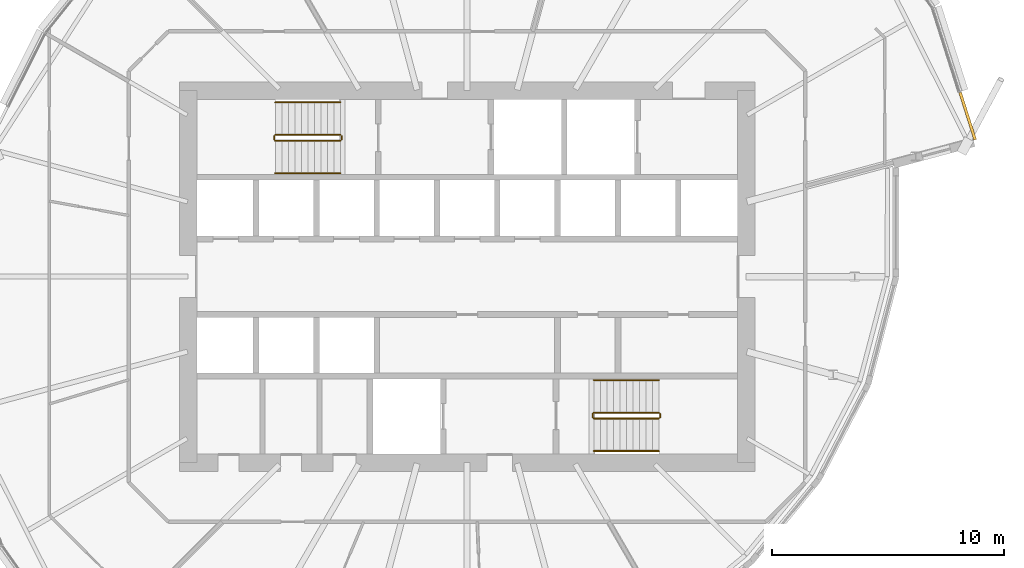
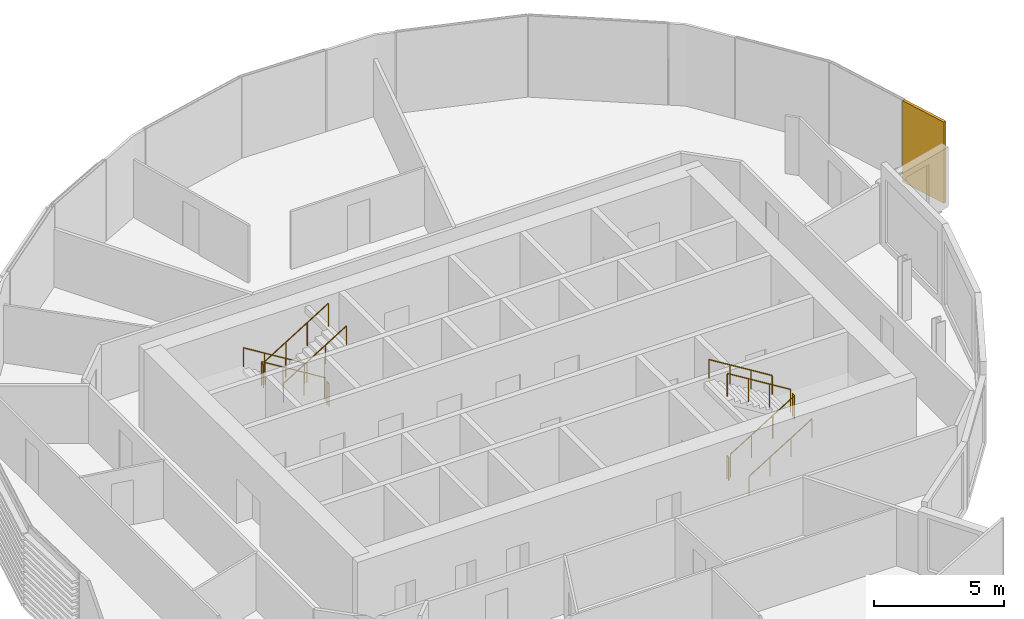
# One storey, part 38 of 39: 12 railings, 1 covering.
"""IFC4 building model written with IfcOpenShell, lengths in metres."""

from ifc_helpers import new_model, si_unit, direction, frame, origin, origin_2d, place, context, subcontext, project, spatial, polyline, circle, outline, extrude, material, layer, layer_set, type_object, element, save


model = new_model("IFC4")

# Units and contexts
model_context = context("Model", 3, precision=1e-05, world=origin(), true_north=direction((0.0, 1.0)))
body_context = subcontext(model_context, "Body", "Model", "MODEL_VIEW")
ifc_project = project(units=[si_unit("LENGTHUNIT", "METRE"), si_unit("AREAUNIT", "SQUARE_METRE"), si_unit("VOLUMEUNIT", "CUBIC_METRE"), si_unit("PLANEANGLEUNIT", "RADIAN"), si_unit("MASSUNIT", "GRAM", prefix="KILO")], contexts=[model_context])

# Site, building, storey
site_placement = place(None, origin())
site = spatial("IfcSite", under=ifc_project, at=site_placement, CompositionType="ELEMENT")
building_placement = place(site_placement, origin())
building = spatial("IfcBuilding", under=site, at=building_placement, Name="Rimbun Link Towers", CompositionType="ELEMENT")
storey_placement = place(building_placement, frame((0.0, 0.0, 112.0)))
storey = spatial("IfcBuildingStorey", under=building, at=storey_placement, Name="L27", CompositionType="ELEMENT", Elevation=112.0)

# Covering
ifc_material_1 = material(Name="Terracotta", Category="masonry")
ifc_layer = layer(ifc_material_1, 0.1201171875)
ifc_layer_set = layer_set([ifc_layer], Name="LINK PIER terracotta cladding 120")
covering_type = type_object("IfcCoveringType", Name="LINK PIER terracotta cladding 120", PredefinedType="CLADDING", material=ifc_layer_set)
covering_placement = place(storey_placement, origin())
element("IfcCovering", 1, at=covering_placement, inside=storey, type_object=covering_type, Name="LINK PIER cladding", PredefinedType="CLADDING", context=body_context, shape_type="SweptSolid", body=[
    extrude(outline(polyline([(52.89892578125, 7.910888671875), (53.54736328125, 5.87158203125), (53.661865234375, 5.907958984375), (53.01318359375, 7.947265625), (52.89892578125, 7.910888671875)])), origin(), (0.0, 0.0, 1.0), 3.800048828125),
])

# Railings
ifc_material_2 = material(Name="Stainless steel grade 316", Category="steel")
railing_type_1 = type_object("IfcRailingType", Name="Stair guard", PredefinedType="GUARDRAIL", material=ifc_material_2)
railing_1_placement = place(storey_placement, frame((26.300048828125, 6.10009765625, 0.172607421875)))
element("IfcRailing", 2, at=railing_1_placement, inside=storey, type_object=railing_type_1, Name="L27 ST3 stair guard 1", PredefinedType="GUARDRAIL", context=body_context, shape_type="SweptSolid", body=[
    extrude(circle(Radius=0.02392578125, at=origin_2d()), frame((0.0, 0.0, 1.076171875), z_axis=(-0.851089632645, 0.0, 0.525020415988), x_axis=(0.0, -1.0, 0.0)), (0.0, 0.0, 1.0), 3.2900390625),
    extrude(circle(Radius=0.02099609375, at=origin_2d()), origin(), (0.0, 0.0, 1.0), 1.052001953125),
    extrude(circle(Radius=0.02099609375, at=origin_2d()), frame((-0.933349609375, 0.0, 0.57568359375)), (0.0, 0.0, 1.0), 1.052001953125),
    extrude(circle(Radius=0.02099609375, at=origin_2d()), frame((-1.86669921875, 0.0, 1.151611328125)), (0.0, 0.0, 1.0), 1.052001953125),
    extrude(circle(Radius=0.02099609375, at=origin_2d()), frame((-2.800048828125, 0.0, 1.727294921875)), (0.0, 0.0, 1.0), 1.052001953125),
])
railing_2_placement = place(storey_placement, frame((23.449951171875, 6.050048828125, 1.89990234375)))
element("IfcRailing", 3, at=railing_2_placement, inside=storey, type_object=railing_type_1, Name="L27 ST3 stair guard 2", PredefinedType="GUARDRAIL", context=body_context, shape_type="SweptSolid", body=[
    extrude(circle(Radius=0.02392578125, at=origin_2d()), frame((0.0, 0.0, 1.076171875), z_axis=(0.0, -1.0, 0.0), x_axis=(1.0, 0.0, 0.0)), (0.0, 0.0, 1.0), 0.150146484375),
    extrude(circle(Radius=0.02099609375, at=origin_2d()), origin(), (0.0, 0.0, 1.0), 1.052001953125),
    extrude(circle(Radius=0.02099609375, at=origin_2d()), frame((0.0, -0.150146484375, 0.0)), (0.0, 0.0, 1.0), 1.052001953125),
])
railing_3_placement = place(storey_placement, frame((23.5, 5.85009765625, 2.07275390625)))
element("IfcRailing", 4, at=railing_3_placement, inside=storey, type_object=railing_type_1, Name="L27 ST3 stair guard 3", PredefinedType="GUARDRAIL", context=body_context, shape_type="SweptSolid", body=[
    extrude(circle(Radius=0.02392578125, at=origin_2d()), frame((0.0, 0.0, 1.076171875), z_axis=(0.851089632645, 0.0, 0.525020415988), x_axis=(0.0, 1.0, 0.0)), (0.0, 0.0, 1.0), 3.2900390625),
    extrude(circle(Radius=0.02099609375, at=origin_2d()), origin(), (0.0, 0.0, 1.0), 1.052001953125),
    extrude(circle(Radius=0.02099609375, at=origin_2d()), frame((0.933349609375, 0.0, 0.57568359375)), (0.0, 0.0, 1.0), 1.052001953125),
    extrude(circle(Radius=0.02099609375, at=origin_2d()), frame((1.86669921875, 0.0, 1.151611328125)), (0.0, 0.0, 1.0), 1.052001953125),
    extrude(circle(Radius=0.02099609375, at=origin_2d()), frame((2.800048828125, 0.0, 1.727294921875)), (0.0, 0.0, 1.0), 1.052001953125),
])
railing_4_placement = place(storey_placement, frame((26.35009765625, 6.050048828125, 0.0)))
element("IfcRailing", 5, at=railing_4_placement, inside=storey, type_object=railing_type_1, Name="L27 ST3 stair guard 4", PredefinedType="GUARDRAIL", context=body_context, shape_type="SweptSolid", body=[
    extrude(circle(Radius=0.02392578125, at=origin_2d()), frame((0.0, 0.0, 1.076171875), z_axis=(0.0, -1.0, 0.0), x_axis=(1.0, 0.0, 0.0)), (0.0, 0.0, 1.0), 0.150146484375),
    extrude(circle(Radius=0.02099609375, at=origin_2d()), origin(), (0.0, 0.0, 1.0), 1.052001953125),
    extrude(circle(Radius=0.02099609375, at=origin_2d()), frame((0.0, -0.150146484375, 0.0)), (0.0, 0.0, 1.0), 1.052001953125),
])
railing_5_placement = place(storey_placement, frame((37.199951171875, -6.10009765625, 0.172607421875)))
element("IfcRailing", 6, at=railing_5_placement, inside=storey, type_object=railing_type_1, Name="L27 ST4 stair guard 1", PredefinedType="GUARDRAIL", context=body_context, shape_type="SweptSolid", body=[
    extrude(circle(Radius=0.02392578125, at=origin_2d()), frame((0.0, 0.0, 1.076171875), z_axis=(0.851089632645, 0.0, 0.525020415988), x_axis=(0.0, 1.0, 0.0)), (0.0, 0.0, 1.0), 3.2900390625),
    extrude(circle(Radius=0.02099609375, at=origin_2d()), origin(), (0.0, 0.0, 1.0), 1.052001953125),
    extrude(circle(Radius=0.02099609375, at=origin_2d()), frame((0.933349609375, 0.0, 0.57568359375)), (0.0, 0.0, 1.0), 1.052001953125),
    extrude(circle(Radius=0.02099609375, at=origin_2d()), frame((1.86669921875, 0.0, 1.151611328125)), (0.0, 0.0, 1.0), 1.052001953125),
    extrude(circle(Radius=0.02099609375, at=origin_2d()), frame((2.800048828125, 0.0, 1.727294921875)), (0.0, 0.0, 1.0), 1.052001953125),
])
railing_6_placement = place(storey_placement, frame((40.050048828125, -6.050048828125, 1.89990234375)))
element("IfcRailing", 7, at=railing_6_placement, inside=storey, type_object=railing_type_1, Name="L27 ST4 stair guard 2", PredefinedType="GUARDRAIL", context=body_context, shape_type="SweptSolid", body=[
    extrude(circle(Radius=0.02392578125, at=origin_2d()), frame((0.0, 0.0, 1.076171875), z_axis=(0.0, 1.0, 0.0), x_axis=(-1.0, 0.0, 0.0)), (0.0, 0.0, 1.0), 0.150146484375),
    extrude(circle(Radius=0.02099609375, at=origin_2d()), origin(), (0.0, 0.0, 1.0), 1.052001953125),
    extrude(circle(Radius=0.02099609375, at=origin_2d()), frame((0.0, 0.150146484375, 0.0)), (0.0, 0.0, 1.0), 1.052001953125),
])
railing_7_placement = place(storey_placement, frame((40.0, -5.85009765625, 2.07275390625)))
element("IfcRailing", 8, at=railing_7_placement, inside=storey, type_object=railing_type_1, Name="L27 ST4 stair guard 3", PredefinedType="GUARDRAIL", context=body_context, shape_type="SweptSolid", body=[
    extrude(circle(Radius=0.02392578125, at=origin_2d()), frame((0.0, 0.0, 1.076171875), z_axis=(-0.851089632645, 0.0, 0.525020415988), x_axis=(0.0, -1.0, 0.0)), (0.0, 0.0, 1.0), 3.2900390625),
    extrude(circle(Radius=0.02099609375, at=origin_2d()), origin(), (0.0, 0.0, 1.0), 1.052001953125),
    extrude(circle(Radius=0.02099609375, at=origin_2d()), frame((-0.933349609375, 0.0, 0.57568359375)), (0.0, 0.0, 1.0), 1.052001953125),
    extrude(circle(Radius=0.02099609375, at=origin_2d()), frame((-1.86669921875, 0.0, 1.151611328125)), (0.0, 0.0, 1.0), 1.052001953125),
    extrude(circle(Radius=0.02099609375, at=origin_2d()), frame((-2.800048828125, 0.0, 1.727294921875)), (0.0, 0.0, 1.0), 1.052001953125),
])
railing_8_placement = place(storey_placement, frame((37.14990234375, -6.050048828125, 0.0)))
element("IfcRailing", 9, at=railing_8_placement, inside=storey, type_object=railing_type_1, Name="L27 ST4 stair guard 4", PredefinedType="GUARDRAIL", context=body_context, shape_type="SweptSolid", body=[
    extrude(circle(Radius=0.02392578125, at=origin_2d()), frame((0.0, 0.0, 1.076171875), z_axis=(0.0, 1.0, 0.0), x_axis=(-1.0, 0.0, 0.0)), (0.0, 0.0, 1.0), 0.150146484375),
    extrude(circle(Radius=0.02099609375, at=origin_2d()), origin(), (0.0, 0.0, 1.0), 1.052001953125),
    extrude(circle(Radius=0.02099609375, at=origin_2d()), frame((0.0, 0.150146484375, 0.0)), (0.0, 0.0, 1.0), 1.052001953125),
])
ifc_material_3 = material(Name="Stainless steel grade 316", Category="steel")
railing_type_2 = type_object("IfcRailingType", Name="Stair handrail", PredefinedType="HANDRAIL", material=ifc_material_3)
railing_9_placement = place(storey_placement, frame((26.300048828125, 7.5, 0.172607421875)))
element("IfcRailing", 10, at=railing_9_placement, inside=storey, type_object=railing_type_2, Name="L27 ST3 stair handrail 1", PredefinedType="HANDRAIL", context=body_context, shape_type="SweptSolid", body=[
    extrude(circle(Radius=0.02392578125, at=origin_2d()), frame((0.0, 0.0, 0.8759765625), z_axis=(-0.851089632645, 0.0, 0.525020415988), x_axis=(0.0, -1.0, 0.0)), (0.0, 0.0, 1.0), 3.2900390625),
    extrude(circle(Radius=0.02099609375, at=origin_2d()), origin(), (0.0, 0.0, 1.0), 0.851806640625),
    extrude(circle(Radius=0.02099609375, at=origin_2d()), frame((-0.933349609375, 0.0, 0.57568359375)), (0.0, 0.0, 1.0), 0.851806640625),
    extrude(circle(Radius=0.02099609375, at=origin_2d()), frame((-1.86669921875, 0.0, 1.151611328125)), (0.0, 0.0, 1.0), 0.851806640625),
    extrude(circle(Radius=0.02099609375, at=origin_2d()), frame((-2.800048828125, 0.0, 1.727294921875)), (0.0, 0.0, 1.0), 0.851806640625),
])
for number, where, name in (
    (11, (23.5, 4.449951171875, 2.07275390625), "L27 ST3 stair handrail 2"),
    (12, (37.199951171875, -7.5, 0.172607421875), "L27 ST4 stair handrail 1"),
):
    element("IfcRailing", number, at=place(storey_placement, frame(where)), inside=storey, type_object=railing_type_2, Name=name, PredefinedType="HANDRAIL", context=body_context, shape_type="SweptSolid", body=[
        extrude(circle(Radius=0.02392578125, at=origin_2d()), frame((0.0, 0.0, 0.8759765625), z_axis=(0.851089632645, 0.0, 0.525020415988), x_axis=(0.0, 1.0, 0.0)), (0.0, 0.0, 1.0), 3.2900390625),
        extrude(circle(Radius=0.02099609375, at=origin_2d()), origin(), (0.0, 0.0, 1.0), 0.851806640625),
        extrude(circle(Radius=0.02099609375, at=origin_2d()), frame((0.933349609375, 0.0, 0.57568359375)), (0.0, 0.0, 1.0), 0.851806640625),
        extrude(circle(Radius=0.02099609375, at=origin_2d()), frame((1.86669921875, 0.0, 1.151611328125)), (0.0, 0.0, 1.0), 0.851806640625),
        extrude(circle(Radius=0.02099609375, at=origin_2d()), frame((2.800048828125, 0.0, 1.727294921875)), (0.0, 0.0, 1.0), 0.851806640625),
    ])
railing_10_placement = place(storey_placement, frame((40.0, -4.449951171875, 2.07275390625)))
element("IfcRailing", 13, at=railing_10_placement, inside=storey, type_object=railing_type_2, Name="L27 ST4 stair handrail 2", PredefinedType="HANDRAIL", context=body_context, shape_type="SweptSolid", body=[
    extrude(circle(Radius=0.02392578125, at=origin_2d()), frame((0.0, 0.0, 0.8759765625), z_axis=(-0.851089632645, 0.0, 0.525020415988), x_axis=(0.0, -1.0, 0.0)), (0.0, 0.0, 1.0), 3.2900390625),
    extrude(circle(Radius=0.02099609375, at=origin_2d()), origin(), (0.0, 0.0, 1.0), 0.851806640625),
    extrude(circle(Radius=0.02099609375, at=origin_2d()), frame((-0.933349609375, 0.0, 0.57568359375)), (0.0, 0.0, 1.0), 0.851806640625),
    extrude(circle(Radius=0.02099609375, at=origin_2d()), frame((-1.86669921875, 0.0, 1.151611328125)), (0.0, 0.0, 1.0), 0.851806640625),
    extrude(circle(Radius=0.02099609375, at=origin_2d()), frame((-2.800048828125, 0.0, 1.727294921875)), (0.0, 0.0, 1.0), 0.851806640625),
])

save(model, "model.ifc")
